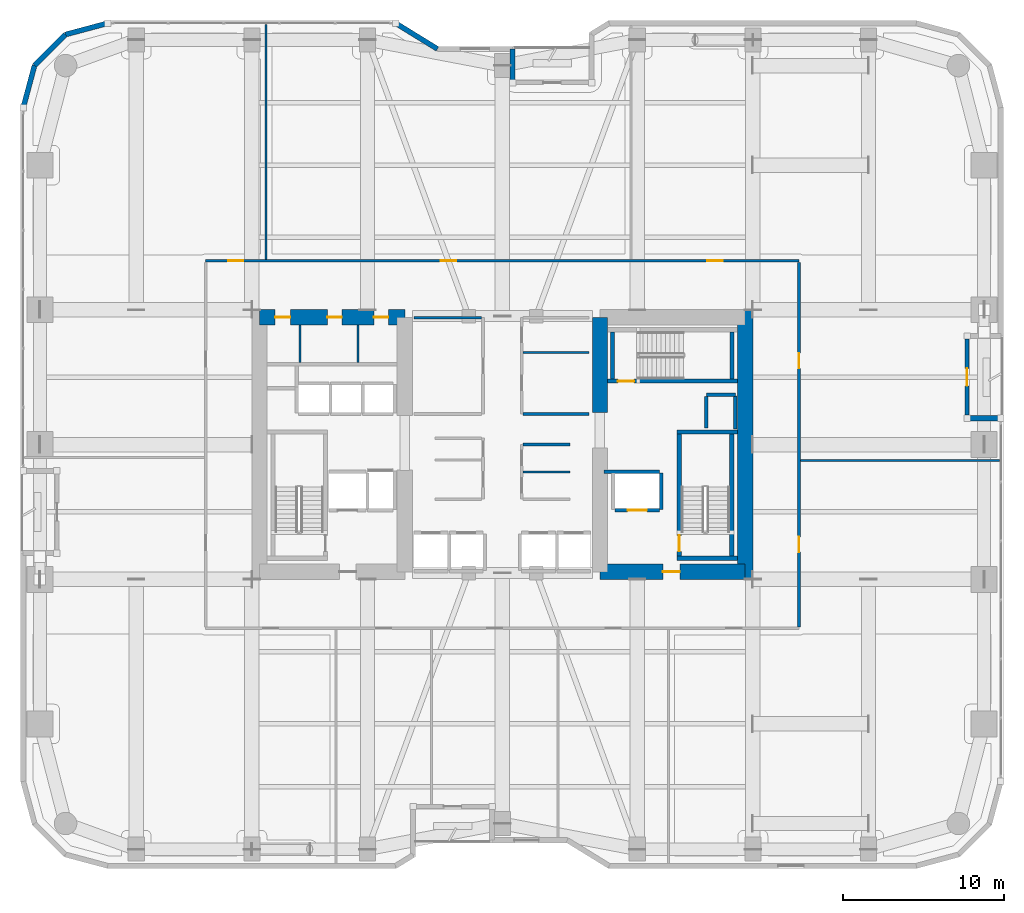
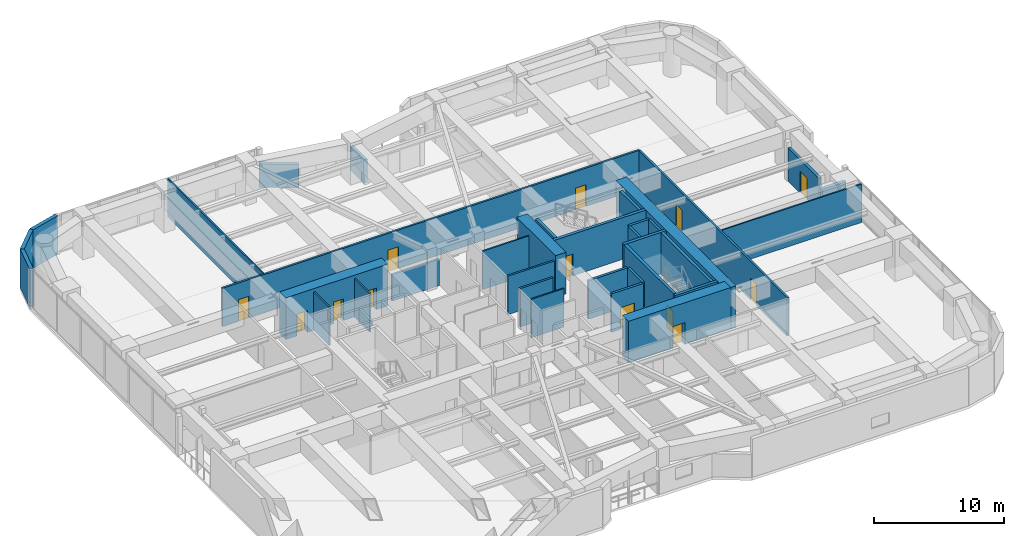
# One storey, part 24 of 28: 35 walls, 13 doors, 13 openings.
"""IFC4 building model written with IfcOpenShell, lengths in metres."""

from ifc_helpers import new_model, si_unit, direction, frame, frame_2d, origin, place, context, subcontext, project, spatial, rectangle, extrude, material, layer, layer_set, type_object, element, fill, save


model = new_model("IFC4")

# Units and contexts
model_context = context("Model", 3, precision=1e-05, world=origin(), true_north=direction((0.0, 1.0)))
body_context = subcontext(model_context, "Body", "Model", "MODEL_VIEW")
ifc_project = project(units=[si_unit("LENGTHUNIT", "METRE"), si_unit("AREAUNIT", "SQUARE_METRE"), si_unit("VOLUMEUNIT", "CUBIC_METRE"), si_unit("PLANEANGLEUNIT", "RADIAN"), si_unit("MASSUNIT", "GRAM", prefix="KILO")], contexts=[model_context])

# Site, building, storey
site_placement = place(None, origin())
site = spatial("IfcSite", under=ifc_project, at=site_placement, CompositionType="ELEMENT")
building_placement = place(site_placement, origin())
building = spatial("IfcBuilding", under=site, at=building_placement, Name="Kiyonajd Concourse Tower", CompositionType="ELEMENT")
storey_placement = place(building_placement, frame((0.0, 0.0, 76.800048828125)))
storey = spatial("IfcBuildingStorey", under=building, at=storey_placement, Name="L20", CompositionType="ELEMENT", Elevation=76.800048828125)

# Wall, openings, doors
ifc_material_1 = material(Name="Concrete C80/95", Category="concrete")
ifc_layer_1 = layer(ifc_material_1, 0.949951171875)
ifc_layer_set_1 = layer_set([ifc_layer_1], Name="Concrete C80/95")
wall_type_1 = type_object("IfcWallType", Name="WL-CORE-950", PredefinedType="SHEAR", material=ifc_layer_set_1)
wall_1_placement = place(storey_placement, frame((32.875, 43.925048828125, 0.0), z_axis=(0.0, 0.0, 1.0), x_axis=(1.0, 0.0, 0.0)))
wall_1 = element("IfcWall", 1, at=wall_1_placement, inside=storey, type_object=wall_type_1, Name="L20 West Core North Shear Wall", PredefinedType="SHEAR", context=body_context, shape_type="SweptSolid", body=[
    extrude(rectangle(XDim=9.050048828125, YDim=0.949951171875, at=frame_2d((4.52490234375, 0.0))), origin(), (0.0, 0.0, 1.0), 3.89990234375),
])
opening_1_placement = place(wall_1_placement, frame((0.97509765625, 0.0, 0.0)))
opening_1 = element("IfcOpeningElement", 2, at=opening_1_placement, cuts=wall_1, Name="Opening DI1", PredefinedType="OPENING", context=body_context, shape_type="SweptSolid", body=[
    extrude(rectangle(XDim=0.949951171875, YDim=2.0400390625, at=frame_2d((0.47509765625, 1.02001953125))), frame((0.0, 0.48486328125, 0.0), z_axis=(0.0, -1.0, 0.0), x_axis=(1.0, 0.0, 0.0)), (0.0, 0.0, 1.0), 0.969970703125),
])
opening_2_placement = place(wall_1_placement, frame((4.22509765625, 0.0, 0.0)))
opening_2 = element("IfcOpeningElement", 3, at=opening_2_placement, cuts=wall_1, Name="Opening DI2", PredefinedType="OPENING", context=body_context, shape_type="SweptSolid", body=[
    extrude(rectangle(XDim=0.89990234375, YDim=2.02001953125, at=frame_2d((0.449951171875, 1.010009765625))), frame((0.0, 0.48486328125, 0.0), z_axis=(0.0, -1.0, 0.0), x_axis=(1.0, 0.0, 0.0)), (0.0, 0.0, 1.0), 0.969970703125),
])
opening_3_placement = place(wall_1_placement, frame((7.125, 0.0, 0.0)))
opening_3 = element("IfcOpeningElement", 4, at=opening_3_placement, cuts=wall_1, Name="Opening DI2", PredefinedType="OPENING", context=body_context, shape_type="SweptSolid", body=[
    extrude(rectangle(XDim=0.89990234375, YDim=2.02001953125, at=frame_2d((0.449951171875, 1.010009765625))), frame((0.0, 0.48486328125, 0.0), z_axis=(0.0, -1.0, 0.0), x_axis=(1.0, 0.0, 0.0)), (0.0, 0.0, 1.0), 0.969970703125),
])
ifc_material_2 = material(Name="Natural Oak Acoustic Timber Veneer", Category="wood")
door_type_1 = type_object("IfcDoorType", Name="DR-INT-900", OperationType="NOTDEFINED", PredefinedType="DOOR", material=ifc_material_2)
door_1_placement = place(opening_2_placement, origin())
door_1 = element("IfcDoor", 5, at=door_1_placement, inside=storey, type_object=door_type_1, Name="L20 Male Restroom Door", OperationType="SINGLE_SWING_RIGHT", OverallHeight=2.02001953125, OverallWidth=0.89990234375, PredefinedType="DOOR", context=body_context, shape_type="SweptSolid", body=[
    extrude(rectangle(XDim=0.89990234375, YDim=2.02001953125, at=frame_2d((0.449951171875, 1.010009765625))), frame((0.0, 0.02490234375, 0.0), z_axis=(0.0, -1.0, 0.0), x_axis=(1.0, 0.0, 0.0)), (0.0, 0.0, 1.0), 0.050048828125),
])
fill(opening_2, door_1)
door_2_placement = place(opening_3_placement, origin())
door_2 = element("IfcDoor", 6, at=door_2_placement, inside=storey, type_object=door_type_1, Name="L20 Female Restroom Door", OperationType="SINGLE_SWING_LEFT", OverallHeight=2.02001953125, OverallWidth=0.89990234375, PredefinedType="DOOR", context=body_context, shape_type="SweptSolid", body=[
    extrude(rectangle(XDim=0.89990234375, YDim=2.02001953125, at=frame_2d((0.449951171875, 1.010009765625))), frame((0.0, 0.02490234375, 0.0), z_axis=(0.0, -1.0, 0.0), x_axis=(1.0, 0.0, 0.0)), (0.0, 0.0, 1.0), 0.050048828125),
])
fill(opening_3, door_2)
door_type_2 = type_object("IfcDoorType", Name="DR-INT-950", OperationType="NOTDEFINED", PredefinedType="DOOR", material=ifc_material_2)
door_3_placement = place(opening_1_placement, origin())
door_3 = element("IfcDoor", 7, at=door_3_placement, inside=storey, type_object=door_type_2, Name="L20 Single User Accessible WC Door", OperationType="SINGLE_SWING_LEFT", OverallHeight=2.0400390625, OverallWidth=0.949951171875, PredefinedType="DOOR", context=body_context, shape_type="SweptSolid", body=[
    extrude(rectangle(XDim=0.949951171875, YDim=2.0400390625, at=frame_2d((0.47509765625, 1.02001953125))), frame((0.0, 0.02490234375, 0.0), z_axis=(0.0, -1.0, 0.0), x_axis=(1.0, 0.0, 0.0)), (0.0, 0.0, 1.0), 0.050048828125),
])
fill(opening_1, door_3)

# Walls
wall_2_placement = place(storey_placement, frame((54.074951171875, 38.0, 0.0), z_axis=(0.0, 0.0, 1.0), x_axis=(0.0, 1.0, 0.0)))
element("IfcWall", 8, at=wall_2_placement, inside=storey, type_object=wall_type_1, Name="L20 East Core Inner North Shear Wall", PredefinedType="SHEAR", context=body_context, shape_type="SweptSolid", body=[
    extrude(rectangle(XDim=5.925048828125, YDim=0.949951171875, at=frame_2d((2.96240234375, 0.0))), origin(), (0.0, 0.0, 1.0), 3.89990234375),
])
wall_3_placement = place(storey_placement, frame((63.125, 27.60009765625, 0.0), z_axis=(0.0, 0.0, 1.0), x_axis=(0.0, 1.0, 0.0)))
element("IfcWall", 9, at=wall_3_placement, inside=storey, type_object=wall_type_1, Name="L20 East Core Outer Shear Wall", PredefinedType="SHEAR", context=body_context, shape_type="SweptSolid", body=[
    extrude(rectangle(XDim=16.7998046875, YDim=0.949951171875, at=frame_2d((8.39990234375, 0.0))), origin(), (0.0, 0.0, 1.0), 3.89990234375),
])

# Wall, opening, door
wall_4_placement = place(storey_placement, frame((54.074951171875, 28.074951171875, 0.0), z_axis=(0.0, 0.0, 1.0), x_axis=(1.0, 0.0, 0.0)))
wall_4 = element("IfcWall", 10, at=wall_4_placement, inside=storey, type_object=wall_type_1, Name="L20 East Core South Shear Wall", PredefinedType="SHEAR", context=body_context, shape_type="SweptSolid", body=[
    extrude(rectangle(XDim=9.050048828125, YDim=0.949951171875, at=frame_2d((4.52490234375, 0.0))), origin(), (0.0, 0.0, 1.0), 3.89990234375),
])
opening_4_placement = place(wall_4_placement, frame((3.925048828125, 0.0, 0.0)))
opening_4 = element("IfcOpeningElement", 11, at=opening_4_placement, cuts=wall_4, Name="Opening DF5", PredefinedType="OPENING", context=body_context, shape_type="SweptSolid", body=[
    extrude(rectangle(XDim=1.050048828125, YDim=2.0400390625, at=frame_2d((0.52490234375, 1.02001953125))), frame((0.0, 0.48486328125, 0.0), z_axis=(0.0, -1.0, 0.0), x_axis=(1.0, 0.0, 0.0)), (0.0, 0.0, 1.0), 0.969970703125),
])
ifc_material_3 = material(Name="Brushed Stainless Steel Cab Assembly", Category="steel")
door_type_3 = type_object("IfcDoorType", Name="DR-FD45-1050", OperationType="NOTDEFINED", PredefinedType="DOOR", material=ifc_material_3)
door_4_placement = place(opening_4_placement, origin())
door_4 = element("IfcDoor", 12, at=door_4_placement, inside=storey, type_object=door_type_3, Name="L20 Firefighting Lift Lobby E Smoke Door", OperationType="SINGLE_SWING_RIGHT", OverallHeight=2.0400390625, OverallWidth=1.050048828125, PredefinedType="DOOR", context=body_context, shape_type="SweptSolid", body=[
    extrude(rectangle(XDim=1.050048828125, YDim=2.0400390625, at=frame_2d((0.52490234375, 1.02001953125))), frame((0.0, 0.02490234375, 0.0), z_axis=(0.0, -1.0, 0.0), x_axis=(1.0, 0.0, 0.0)), (0.0, 0.0, 1.0), 0.050048828125),
])
fill(opening_4, door_4)

# Walls
ifc_material_4 = material(Name="Precast concrete C50/60", Category="concrete")
ifc_layer_2 = layer(ifc_material_4, 0.320068359375)
ifc_layer_set_2 = layer_set([ifc_layer_2], Name="Precast concrete C50/60")
wall_type_2 = type_object("IfcWallType", Name="WL-EXT-320", PredefinedType="SOLIDWALL", material=ifc_layer_set_2)
wall_5_placement = place(storey_placement, frame((18.159912109375, 56.97900390625, 0.0), z_axis=(0.0, 0.0, 1.0), x_axis=(0.25869736047, 0.965958423373, 0.0)))
element("IfcWall", 13, at=wall_5_placement, inside=storey, type_object=wall_type_2, Name="L20 Exterior Concrete Frame Wall 06", PredefinedType="SOLIDWALL", context=body_context, shape_type="SweptSolid", body=[
    extrude(rectangle(XDim=2.731201171875, YDim=0.320068359375, at=frame_2d((1.36572265625, 0.0))), origin(), (0.0, 0.0, 1.0), 3.599853515625),
])
wall_6_placement = place(storey_placement, frame((18.866455078125, 59.6171875, 0.0), z_axis=(0.0, 0.0, 1.0), x_axis=(0.707106781187, 0.707106781187, 0.0)))
element("IfcWall", 14, at=wall_6_placement, inside=storey, type_object=wall_type_2, Name="L20 Exterior Concrete Frame Wall 07", PredefinedType="SOLIDWALL", context=body_context, shape_type="SweptSolid", body=[
    extrude(rectangle(XDim=2.7099609375, YDim=0.320068359375, at=frame_2d((1.35498046875, 0.0))), origin(), (0.0, 0.0, 1.0), 3.599853515625),
])
wall_7_placement = place(storey_placement, frame((20.78271484375, 61.533447265625, 0.0), z_axis=(0.0, 0.0, 1.0), x_axis=(0.965964405026, 0.25867502435, 0.0)))
element("IfcWall", 15, at=wall_7_placement, inside=storey, type_object=wall_type_2, Name="L20 Exterior Concrete Frame Wall 08", PredefinedType="SOLIDWALL", context=body_context, shape_type="SweptSolid", body=[
    extrude(rectangle(XDim=2.7314453125, YDim=0.320068359375, at=frame_2d((1.36572265625, 0.0))), origin(), (0.0, 0.0, 1.0), 3.599853515625),
])
wall_8_placement = place(storey_placement, frame((41.354736328125, 62.239990234375, 0.0), z_axis=(0.0, 0.0, 1.0), x_axis=(0.851630857047, -0.524142044989, 0.0)))
element("IfcWall", 16, at=wall_8_placement, inside=storey, type_object=wall_type_2, Name="L20 Exterior Concrete Frame Wall 10", PredefinedType="SOLIDWALL", context=body_context, shape_type="SweptSolid", body=[
    extrude(rectangle(XDim=3.052734375, YDim=0.320068359375, at=frame_2d((1.5263671875, 0.0))), origin(), (0.0, 0.0, 1.0), 2.18505859375),
])
wall_9_placement = place(storey_placement, frame((48.639892578125, 60.639892578125, 0.0), z_axis=(0.0, 0.0, 1.0), x_axis=(0.0, -1.0, 0.0)))
element("IfcWall", 17, at=wall_9_placement, inside=storey, type_object=wall_type_2, Name="L20 Exterior Concrete Frame Wall 12", PredefinedType="SOLIDWALL", context=body_context, shape_type="SweptSolid", body=[
    extrude(rectangle(XDim=2.099853515625, YDim=0.320068359375, at=frame_2d((1.0498046875, 0.0))), origin(), (0.0, 0.0, 1.0), 2.18505859375),
])
wall_10_placement = place(storey_placement, frame((76.93994140625, 37.639892578125, 0.0), z_axis=(0.0, 0.0, 1.0), x_axis=(1.0, 0.0, 0.0)))
element("IfcWall", 18, at=wall_10_placement, inside=storey, type_object=wall_type_2, Name="L20 Exterior Concrete Frame Wall 23", PredefinedType="SOLIDWALL", context=body_context, shape_type="SweptSolid", body=[
    extrude(rectangle(XDim=2.10009765625, YDim=0.320068359375, at=frame_2d((1.050048828125, 0.0))), origin(), (0.0, 0.0, 1.0), 2.244873046875),
])

# Wall, opening, door
ifc_layer_3 = layer(ifc_material_4, 0.239990234375)
ifc_layer_set_3 = layer_set([ifc_layer_3], Name="Precast concrete C50/60")
wall_type_3 = type_object("IfcWallType", Name="WL-LOG-240", PredefinedType="SOLIDWALL", material=ifc_layer_set_3)
wall_11_placement = place(storey_placement, frame((76.93994140625, 42.56494140625, 0.0), z_axis=(0.0, 0.0, 1.0), x_axis=(0.0, -1.0, 0.0)))
wall_11 = element("IfcWall", 19, at=wall_11_placement, inside=storey, type_object=wall_type_3, Name="L20 Recessed Loggia Thermal Wall LOG-E", PredefinedType="SOLIDWALL", context=body_context, shape_type="SweptSolid", body=[
    extrude(rectangle(XDim=4.72998046875, YDim=0.239990234375, at=frame_2d((2.364990234375, 0.0))), origin(), (0.0, 0.0, 1.0), 3.1220703125),
])
opening_5_placement = place(wall_11_placement, frame((1.81494140625, 0.0, 0.0)))
opening_5 = element("IfcOpeningElement", 20, at=opening_5_placement, cuts=wall_11, Name="Opening DL2", PredefinedType="OPENING", context=body_context, shape_type="SweptSolid", body=[
    extrude(rectangle(XDim=1.10009765625, YDim=2.0400390625, at=frame_2d((0.550048828125, 1.02001953125))), frame((0.0, 0.1298828125, 0.0), z_axis=(0.0, -1.0, 0.0), x_axis=(1.0, 0.0, 0.0)), (0.0, 0.0, 1.0), 0.260009765625),
])
ifc_material_5 = material(Name="Thermally Broken Anodised Aluminium", Category="aluminium")
door_type_4 = type_object("IfcDoorType", Name="DR-LOG-1100", OperationType="NOTDEFINED", PredefinedType="DOOR", material=ifc_material_5)
door_5_placement = place(opening_5_placement, origin())
door_5 = element("IfcDoor", 21, at=door_5_placement, inside=storey, type_object=door_type_4, Name="L20 Engawa Loggia Access Door LOG-E", OperationType="SINGLE_SWING_LEFT", OverallHeight=2.0400390625, OverallWidth=1.10009765625, PredefinedType="DOOR", context=body_context, shape_type="SweptSolid", body=[
    extrude(rectangle(XDim=1.10009765625, YDim=2.0400390625, at=frame_2d((0.550048828125, 1.02001953125))), frame((0.0, 0.02490234375, 0.0), z_axis=(0.0, -1.0, 0.0), x_axis=(1.0, 0.0, 0.0)), (0.0, 0.0, 1.0), 0.050048828125),
])
fill(opening_5, door_5)

# Walls
ifc_material_6 = material(Name="Gypsum Board on Cold-Formed Steel Stud", Category="steel")
ifc_layer_4 = layer(ifc_material_6, 0.125)
ifc_layer_set_4 = layer_set([ifc_layer_4], Name="Gypsum Board on Cold-Formed Steel Stud")
wall_type_4 = type_object("IfcWallType", Name="WL-PART-125", PredefinedType="PARTITIONING", material=ifc_layer_set_4)
for number, where, z_axis, x_axis, name in (
    (22, (35.39990234375, 41.094970703125, 0.0), (0.0, 0.0, 1.0), (0.0, 1.0, 0.0), "L20 Interior Partition Wall"),
    (23, (39.0, 41.094970703125, 0.0), (0.0, 0.0, 1.0), (0.0, 1.0, 0.0), "L20 Interior Partition Wall"),
):
    element("IfcWall", number, at=place(storey_placement, frame(where, z_axis=z_axis, x_axis=x_axis)), inside=storey, type_object=wall_type_4, Name=name, PredefinedType="PARTITIONING", context=body_context, shape_type="SweptSolid", body=[
        extrude(rectangle(XDim=2.35498046875, YDim=0.125, at=frame_2d((1.177490234375, 0.0))), origin(), (0.0, 0.0, 1.0), 3.599853515625),
    ])
wall_12_placement = place(storey_placement, frame((49.287109375, 34.300048828125, 0.0), z_axis=(0.0, 0.0, 1.0), x_axis=(1.0, 0.0, 0.0)))
element("IfcWall", 24, at=wall_12_placement, inside=storey, type_object=wall_type_4, Name="L20 Interior Partition Wall", PredefinedType="PARTITIONING", context=body_context, shape_type="SweptSolid", body=[
    extrude(rectangle(XDim=2.912841796875, YDim=0.125, at=frame_2d((1.45654296875, 0.0))), origin(), (0.0, 0.0, 1.0), 3.599853515625),
])
wall_13_placement = place(storey_placement, frame((49.287109375, 41.739990234375, 0.0), z_axis=(0.0, 0.0, 1.0), x_axis=(1.0, 0.0, 0.0)))
element("IfcWall", 25, at=wall_13_placement, inside=storey, type_object=wall_type_4, Name="L20 Interior Partition Wall", PredefinedType="PARTITIONING", context=body_context, shape_type="SweptSolid", body=[
    extrude(rectangle(XDim=4.11279296875, YDim=0.125, at=frame_2d((2.056396484375, 0.0))), origin(), (0.0, 0.0, 1.0), 3.599853515625),
])
wall_14_placement = place(storey_placement, frame((33.280029296875, 47.527099609375, 0.0), z_axis=(0.0, 0.0, 1.0), x_axis=(0.0, 1.0, 0.0)))
element("IfcWall", 26, at=wall_14_placement, inside=storey, type_object=wall_type_4, Name="L20 Interior Partition Wall", PredefinedType="PARTITIONING", context=body_context, shape_type="SweptSolid", body=[
    extrude(rectangle(XDim=14.6279296875, YDim=0.125, at=frame_2d((7.31396484375, 0.0))), origin(), (0.0, 0.0, 1.0), 3.599853515625),
])
wall_15_placement = place(storey_placement, frame((66.56201171875, 35.0, 0.0), z_axis=(0.0, 0.0, 1.0), x_axis=(1.0, 0.0, 0.0)))
element("IfcWall", 27, at=wall_15_placement, inside=storey, type_object=wall_type_4, Name="L20 Interior Partition Wall", PredefinedType="PARTITIONING", context=body_context, shape_type="SweptSolid", body=[
    extrude(rectangle(XDim=12.39306640625, YDim=0.125, at=frame_2d((6.196533203125, 0.0))), origin(), (0.0, 0.0, 1.0), 3.599853515625),
])
ifc_layer_5 = layer(ifc_material_6, 0.2099609375)
ifc_layer_set_5 = layer_set([ifc_layer_5], Name="Gypsum Board on Cold-Formed Steel Stud")
wall_type_5 = type_object("IfcWallType", Name="WL-SHAFT-210", PredefinedType="PARTITIONING", material=ifc_layer_set_5)
wall_16_placement = place(storey_placement, frame((60.719970703125, 39.10009765625, 0.0), z_axis=(0.0, 0.0, 1.0), x_axis=(1.0, 0.0, 0.0)))
element("IfcWall", 28, at=wall_16_placement, inside=storey, type_object=wall_type_5, Name="L20 Shaft Enclosure Wall", PredefinedType="PARTITIONING", context=body_context, shape_type="SweptSolid", body=[
    extrude(rectangle(XDim=1.800048828125, YDim=0.2099609375, at=frame_2d((0.89990234375, 0.0))), origin(), (0.0, 0.0, 1.0), 3.599853515625),
])
wall_17_placement = place(storey_placement, frame((60.699951171875, 37.02001953125, 0.0), z_axis=(0.0, 0.0, 1.0), x_axis=(0.0, 1.0, 0.0)))
element("IfcWall", 29, at=wall_17_placement, inside=storey, type_object=wall_type_5, Name="L20 Shaft Enclosure Wall", PredefinedType="PARTITIONING", context=body_context, shape_type="SweptSolid", body=[
    extrude(rectangle(XDim=1.9599609375, YDim=0.2099609375, at=frame_2d((0.97998046875, 0.0))), origin(), (0.0, 0.0, 1.0), 3.599853515625),
])
wall_18_placement = place(storey_placement, frame((62.5, 36.97998046875, 0.0), z_axis=(0.0, 0.0, 1.0), x_axis=(0.0, 1.0, 0.0)))
element("IfcWall", 30, at=wall_18_placement, inside=storey, type_object=wall_type_5, Name="L20 Shaft Enclosure Wall", PredefinedType="PARTITIONING", context=body_context, shape_type="SweptSolid", body=[
    extrude(rectangle(XDim=2.0400390625, YDim=0.2099609375, at=frame_2d((1.02001953125, 0.0))), origin(), (0.0, 0.0, 1.0), 3.599853515625),
])

# Wall, opening, door
wall_19_placement = place(storey_placement, frame((55.0, 31.89990234375, 0.0), z_axis=(0.0, 0.0, 1.0), x_axis=(1.0, 0.0, 0.0)))
wall_19 = element("IfcWall", 31, at=wall_19_placement, inside=storey, type_object=wall_type_5, Name="L20 Shaft Enclosure Wall", PredefinedType="PARTITIONING", context=body_context, shape_type="SweptSolid", body=[
    extrude(rectangle(XDim=2.800048828125, YDim=0.2099609375, at=frame_2d((1.39990234375, 0.0))), origin(), (0.0, 0.0, 1.0), 3.599853515625),
])
opening_6_placement = place(wall_19_placement, frame((0.800048828125, 0.0, 0.0)))
opening_6 = element("IfcOpeningElement", 32, at=opening_6_placement, cuts=wall_19, Name="Opening LD2", PredefinedType="OPENING", context=body_context, shape_type="SweptSolid", body=[
    extrude(rectangle(XDim=1.199951171875, YDim=2.0400390625, at=frame_2d((0.60009765625, 1.02001953125))), frame((0.0, 0.114990234375, 0.0), z_axis=(0.0, -1.0, 0.0), x_axis=(1.0, 0.0, 0.0)), (0.0, 0.0, 1.0), 0.22998046875),
])
door_type_5 = type_object("IfcDoorType", Name="DR-LD-1200", OperationType="DOUBLE_DOOR_SLIDING", PredefinedType="DOOR", material=ifc_material_3)
door_6_placement = place(opening_6_placement, origin())
door_6 = element("IfcDoor", 33, at=door_6_placement, inside=storey, type_object=door_type_5, Name="L20 Lift FFL2 Sliding Landing Door", OperationType="DOUBLE_DOOR_SLIDING", OverallHeight=2.0400390625, OverallWidth=1.199951171875, PredefinedType="DOOR", context=body_context, shape_type="SweptSolid", body=[
    extrude(rectangle(XDim=1.199951171875, YDim=2.0400390625, at=frame_2d((0.60009765625, 1.02001953125))), frame((0.0, 0.02490234375, 0.0), z_axis=(0.0, -1.0, 0.0), x_axis=(1.0, 0.0, 0.0)), (0.0, 0.0, 1.0), 0.050048828125),
])
fill(opening_6, door_6)

# Walls
wall_20_placement = place(storey_placement, frame((54.320068359375, 34.300048828125, 0.0), z_axis=(0.0, 0.0, 1.0), x_axis=(1.0, 0.0, 0.0)))
element("IfcWall", 34, at=wall_20_placement, inside=storey, type_object=wall_type_5, Name="L20 Shaft Enclosure Wall", PredefinedType="PARTITIONING", context=body_context, shape_type="SweptSolid", body=[
    extrude(rectangle(XDim=3.47998046875, YDim=0.2099609375, at=frame_2d((1.739990234375, 0.0))), origin(), (0.0, 0.0, 1.0), 3.599853515625),
])
wall_21_placement = place(storey_placement, frame((57.89990234375, 31.9599609375, 0.0), z_axis=(0.0, 0.0, 1.0), x_axis=(0.0, 1.0, 0.0)))
element("IfcWall", 35, at=wall_21_placement, inside=storey, type_object=wall_type_5, Name="L20 Shaft Enclosure Wall", PredefinedType="PARTITIONING", context=body_context, shape_type="SweptSolid", body=[
    extrude(rectangle(XDim=2.280029296875, YDim=0.2099609375, at=frame_2d((1.14013671875, 0.0))), origin(), (0.0, 0.0, 1.0), 3.599853515625),
])
ifc_layer_6 = layer(ifc_material_6, 0.169921875)
ifc_layer_set_6 = layer_set([ifc_layer_6], Name="Gypsum Board on Cold-Formed Steel Stud")
wall_type_6 = type_object("IfcWallType", Name="WL-SMK-170", PredefinedType="PARTITIONING", material=ifc_layer_set_6)
wall_22_placement = place(storey_placement, frame((49.287109375, 36.0, 0.0), z_axis=(0.0, 0.0, 1.0), x_axis=(1.0, 0.0, 0.0)))
element("IfcWall", 36, at=wall_22_placement, inside=storey, type_object=wall_type_6, Name="L20 Interior Partition Wall", PredefinedType="PARTITIONING", context=body_context, shape_type="SweptSolid", body=[
    extrude(rectangle(XDim=2.912841796875, YDim=0.169921875, at=frame_2d((1.45654296875, 0.0))), origin(), (0.0, 0.0, 1.0), 3.599853515625),
])
wall_23_placement = place(storey_placement, frame((42.5, 43.89990234375, 0.0), z_axis=(0.0, 0.0, 1.0), x_axis=(1.0, 0.0, 0.0)))
element("IfcWall", 37, at=wall_23_placement, inside=storey, type_object=wall_type_6, Name="L20 Interior Partition Wall", PredefinedType="PARTITIONING", context=body_context, shape_type="SweptSolid", body=[
    extrude(rectangle(XDim=4.212890625, YDim=0.169921875, at=frame_2d((2.1064453125, 0.0))), origin(), (0.0, 0.0, 1.0), 2.48486328125),
])
wall_24_placement = place(storey_placement, frame((49.287109375, 37.89990234375, 0.0), z_axis=(0.0, 0.0, 1.0), x_axis=(1.0, 0.0, 0.0)))
element("IfcWall", 38, at=wall_24_placement, inside=storey, type_object=wall_type_6, Name="L20 Interior Partition Wall", PredefinedType="PARTITIONING", context=body_context, shape_type="SweptSolid", body=[
    extrude(rectangle(XDim=4.11279296875, YDim=0.169921875, at=frame_2d((2.056396484375, 0.0))), origin(), (0.0, 0.0, 1.0), 3.599853515625),
])

# Wall, openings, doors
wall_25_placement = place(storey_placement, frame((29.52490234375, 47.43994140625, 0.0), z_axis=(0.0, 0.0, 1.0), x_axis=(1.0, 0.0, 0.0)))
wall_25 = element("IfcWall", 39, at=wall_25_placement, inside=storey, type_object=wall_type_6, Name="L20 Interior Partition Wall", PredefinedType="PARTITIONING", context=body_context, shape_type="SweptSolid", body=[
    extrude(rectangle(XDim=36.9501953125, YDim=0.169921875, at=frame_2d((18.47509765625, 0.0))), origin(), (0.0, 0.0, 1.0), 3.599853515625),
])
opening_7_placement = place(wall_25_placement, frame((1.403076171875, 0.0, 0.0)))
opening_7 = element("IfcOpeningElement", 40, at=opening_7_placement, cuts=wall_25, Name="Opening DI1", PredefinedType="OPENING", context=body_context, shape_type="SweptSolid", body=[
    extrude(rectangle(XDim=0.949951171875, YDim=2.0400390625, at=frame_2d((0.47509765625, 1.02001953125))), frame((0.0, 0.094970703125, 0.0), z_axis=(0.0, -1.0, 0.0), x_axis=(1.0, 0.0, 0.0)), (0.0, 0.0, 1.0), 0.18994140625),
])
opening_8_placement = place(wall_25_placement, frame((14.639892578125, 0.0, 0.0)))
opening_8 = element("IfcOpeningElement", 41, at=opening_8_placement, cuts=wall_25, Name="Opening DI1", PredefinedType="OPENING", context=body_context, shape_type="SweptSolid", body=[
    extrude(rectangle(XDim=0.949951171875, YDim=2.0400390625, at=frame_2d((0.47509765625, 1.02001953125))), frame((0.0, 0.094970703125, 0.0), z_axis=(0.0, -1.0, 0.0), x_axis=(1.0, 0.0, 0.0)), (0.0, 0.0, 1.0), 0.18994140625),
])
opening_9_placement = place(wall_25_placement, frame((31.237060546875, 0.0, 0.0)))
opening_9 = element("IfcOpeningElement", 42, at=opening_9_placement, cuts=wall_25, Name="Opening DI1", PredefinedType="OPENING", context=body_context, shape_type="SweptSolid", body=[
    extrude(rectangle(XDim=0.949951171875, YDim=2.0400390625, at=frame_2d((0.47509765625, 1.02001953125))), frame((0.0, 0.094970703125, 0.0), z_axis=(0.0, -1.0, 0.0), x_axis=(1.0, 0.0, 0.0)), (0.0, 0.0, 1.0), 0.18994140625),
])
door_7_placement = place(opening_7_placement, origin())
door_7 = element("IfcDoor", 43, at=door_7_placement, inside=storey, type_object=door_type_2, Name="L20 Interior Door", OperationType="SINGLE_SWING_LEFT", OverallHeight=2.0400390625, OverallWidth=0.949951171875, PredefinedType="DOOR", context=body_context, shape_type="SweptSolid", body=[
    extrude(rectangle(XDim=0.949951171875, YDim=2.0400390625, at=frame_2d((0.47509765625, 1.02001953125))), frame((0.0, 0.02490234375, 0.0), z_axis=(0.0, -1.0, 0.0), x_axis=(1.0, 0.0, 0.0)), (0.0, 0.0, 1.0), 0.050048828125),
])
fill(opening_7, door_7)
door_8_placement = place(opening_8_placement, origin())
door_8 = element("IfcDoor", 44, at=door_8_placement, inside=storey, type_object=door_type_2, Name="L20 Interior Door", OperationType="SINGLE_SWING_RIGHT", OverallHeight=2.0400390625, OverallWidth=0.949951171875, PredefinedType="DOOR", context=body_context, shape_type="SweptSolid", body=[
    extrude(rectangle(XDim=0.949951171875, YDim=2.0400390625, at=frame_2d((0.47509765625, 1.02001953125))), frame((0.0, 0.02490234375, 0.0), z_axis=(0.0, -1.0, 0.0), x_axis=(1.0, 0.0, 0.0)), (0.0, 0.0, 1.0), 0.050048828125),
])
fill(opening_8, door_8)
door_9_placement = place(opening_9_placement, origin())
door_9 = element("IfcDoor", 45, at=door_9_placement, inside=storey, type_object=door_type_2, Name="L20 Interior Door", OperationType="SINGLE_SWING_LEFT", OverallHeight=2.0400390625, OverallWidth=0.949951171875, PredefinedType="DOOR", context=body_context, shape_type="SweptSolid", body=[
    extrude(rectangle(XDim=0.949951171875, YDim=2.0400390625, at=frame_2d((0.47509765625, 1.02001953125))), frame((0.0, 0.02490234375, 0.0), z_axis=(0.0, -1.0, 0.0), x_axis=(1.0, 0.0, 0.0)), (0.0, 0.0, 1.0), 0.050048828125),
])
fill(opening_9, door_9)

wall_26_placement = place(storey_placement, frame((66.47509765625, 24.64697265625, 0.0), z_axis=(0.0, 0.0, 1.0), x_axis=(0.0, 1.0, 0.0)))
wall_26 = element("IfcWall", 46, at=wall_26_placement, inside=storey, type_object=wall_type_6, Name="L20 Interior Partition Wall", PredefinedType="PARTITIONING", context=body_context, shape_type="SweptSolid", body=[
    extrude(rectangle(XDim=22.7060546875, YDim=0.169921875, at=frame_2d((11.35302734375, 0.0))), origin(), (0.0, 0.0, 1.0), 3.599853515625),
])
opening_10_placement = place(wall_26_placement, frame((4.657958984375, 0.0, 0.0)))
opening_10 = element("IfcOpeningElement", 47, at=opening_10_placement, cuts=wall_26, Name="Opening DI1", PredefinedType="OPENING", context=body_context, shape_type="SweptSolid", body=[
    extrude(rectangle(XDim=0.949951171875, YDim=2.0400390625, at=frame_2d((0.47509765625, 1.02001953125))), frame((0.0, 0.094970703125, 0.0), z_axis=(0.0, -1.0, 0.0), x_axis=(1.0, 0.0, 0.0)), (0.0, 0.0, 1.0), 0.18994140625),
])
opening_11_placement = place(wall_26_placement, frame((16.097900390625, 0.0, 0.0)))
opening_11 = element("IfcOpeningElement", 48, at=opening_11_placement, cuts=wall_26, Name="Opening DI1", PredefinedType="OPENING", context=body_context, shape_type="SweptSolid", body=[
    extrude(rectangle(XDim=0.949951171875, YDim=2.0400390625, at=frame_2d((0.47509765625, 1.02001953125))), frame((0.0, 0.094970703125, 0.0), z_axis=(0.0, -1.0, 0.0), x_axis=(1.0, 0.0, 0.0)), (0.0, 0.0, 1.0), 0.18994140625),
])
door_10_placement = place(opening_10_placement, origin())
door_10 = element("IfcDoor", 49, at=door_10_placement, inside=storey, type_object=door_type_2, Name="L20 Interior Door", OperationType="SINGLE_SWING_RIGHT", OverallHeight=2.0400390625, OverallWidth=0.949951171875, PredefinedType="DOOR", context=body_context, shape_type="SweptSolid", body=[
    extrude(rectangle(XDim=0.949951171875, YDim=2.0400390625, at=frame_2d((0.47509765625, 1.02001953125))), frame((0.0, 0.02490234375, 0.0), z_axis=(0.0, -1.0, 0.0), x_axis=(1.0, 0.0, 0.0)), (0.0, 0.0, 1.0), 0.050048828125),
])
fill(opening_10, door_10)
door_11_placement = place(opening_11_placement, origin())
door_11 = element("IfcDoor", 50, at=door_11_placement, inside=storey, type_object=door_type_2, Name="L20 Interior Door", OperationType="SINGLE_SWING_LEFT", OverallHeight=2.0400390625, OverallWidth=0.949951171875, PredefinedType="DOOR", context=body_context, shape_type="SweptSolid", body=[
    extrude(rectangle(XDim=0.949951171875, YDim=2.0400390625, at=frame_2d((0.47509765625, 1.02001953125))), frame((0.0, 0.02490234375, 0.0), z_axis=(0.0, -1.0, 0.0), x_axis=(1.0, 0.0, 0.0)), (0.0, 0.0, 1.0), 0.050048828125),
])
fill(opening_11, door_11)

# Walls
ifc_material_7 = material(Name="Concrete C50/60", Category="concrete")
ifc_layer_7 = layer(ifc_material_7, 0.260009765625)
ifc_layer_set_7 = layer_set([ifc_layer_7], Name="Concrete C50/60")
wall_type_7 = type_object("IfcWallType", Name="WL-STAIR-260", PredefinedType="SHEAR", material=ifc_layer_set_7)
for number, where, z_axis, x_axis, name in (
    (51, (58.889892578125, 28.919921875, 0.0), (0.0, 0.0, 1.0), (1.0, 0.0, 0.0), "L20 Stair ST2 Structural South Wall"),
    (52, (58.889892578125, 36.780029296875, 0.0), (0.0, 0.0, 1.0), (1.0, 0.0, 0.0), "L20 Stair ST2 Structural North Wall"),
):
    element("IfcWall", number, at=place(storey_placement, frame(where, z_axis=z_axis, x_axis=x_axis)), inside=storey, type_object=wall_type_7, Name=name, PredefinedType="SHEAR", context=body_context, shape_type="SweptSolid", body=[
        extrude(rectangle(XDim=3.760009765625, YDim=0.260009765625, at=frame_2d((1.8798828125, 0.0))), origin(), (0.0, 0.0, 1.0), 3.89990234375),
    ])

# Wall, opening, door
wall_27_placement = place(storey_placement, frame((59.02001953125, 29.050048828125, 0.0), z_axis=(0.0, 0.0, 1.0), x_axis=(0.0, 1.0, 0.0)))
wall_27 = element("IfcWall", 53, at=wall_27_placement, inside=storey, type_object=wall_type_7, Name="L20 Stair ST2 Structural West Wall", PredefinedType="SHEAR", context=body_context, shape_type="SweptSolid", body=[
    extrude(rectangle(XDim=7.599853515625, YDim=0.260009765625, at=frame_2d((3.7998046875, 0.0))), origin(), (0.0, 0.0, 1.0), 3.89990234375),
])
opening_12_placement = place(wall_27_placement, frame((0.300048828125, 0.0, 0.0)))
opening_12 = element("IfcOpeningElement", 54, at=opening_12_placement, cuts=wall_27, Name="Opening DF1", PredefinedType="OPENING", context=body_context, shape_type="SweptSolid", body=[
    extrude(rectangle(XDim=1.0, YDim=2.0400390625, at=frame_2d((0.5, 1.02001953125))), frame((0.0, 0.139892578125, 0.0), z_axis=(0.0, -1.0, 0.0), x_axis=(1.0, 0.0, 0.0)), (0.0, 0.0, 1.0), 0.280029296875),
])
door_type_6 = type_object("IfcDoorType", Name="DR-FD90-1000", OperationType="NOTDEFINED", PredefinedType="DOOR", material=ifc_material_3)
door_12_placement = place(opening_12_placement, origin())
door_12 = element("IfcDoor", 55, at=door_12_placement, inside=storey, type_object=door_type_6, Name="L20 Stair ST2 FSAE Door", OperationType="SINGLE_SWING_RIGHT", OverallHeight=2.0400390625, OverallWidth=1.0, PredefinedType="DOOR", context=body_context, shape_type="SweptSolid", body=[
    extrude(rectangle(XDim=1.0, YDim=2.0400390625, at=frame_2d((0.5, 1.02001953125))), frame((0.0, 0.02490234375, 0.0), z_axis=(0.0, -1.0, 0.0), x_axis=(1.0, 0.0, 0.0)), (0.0, 0.0, 1.0), 0.050048828125),
])
fill(opening_12, door_12)

# Wall
wall_28_placement = place(storey_placement, frame((62.280029296875, 29.050048828125, 0.0), z_axis=(0.0, 0.0, 1.0), x_axis=(0.0, 1.0, 0.0)))
element("IfcWall", 56, at=wall_28_placement, inside=storey, type_object=wall_type_7, Name="L20 Stair ST2 Structural East Wall", PredefinedType="SHEAR", context=body_context, shape_type="SweptSolid", body=[
    extrude(rectangle(XDim=7.599853515625, YDim=0.260009765625, at=frame_2d((3.7998046875, 0.0))), origin(), (0.0, 0.0, 1.0), 3.89990234375),
])

# Wall, opening, door
wall_29_placement = place(storey_placement, frame((54.550048828125, 39.949951171875, 0.0), z_axis=(0.0, 0.0, 1.0), x_axis=(1.0, 0.0, 0.0)))
wall_29 = element("IfcWall", 57, at=wall_29_placement, inside=storey, type_object=wall_type_7, Name="L20 Stair ST3 Structural South Wall", PredefinedType="SHEAR", context=body_context, shape_type="SweptSolid", body=[
    extrude(rectangle(XDim=8.099853515625, YDim=0.260009765625, at=frame_2d((4.0498046875, 0.0))), origin(), (0.0, 0.0, 1.0), 3.89990234375),
])
opening_13_placement = place(wall_29_placement, frame((0.64990234375, 0.0, 0.0)))
opening_13 = element("IfcOpeningElement", 58, at=opening_13_placement, cuts=wall_29, Name="Opening DF1", PredefinedType="OPENING", context=body_context, shape_type="SweptSolid", body=[
    extrude(rectangle(XDim=1.0, YDim=2.0400390625, at=frame_2d((0.5, 1.02001953125))), frame((0.0, 0.139892578125, 0.0), z_axis=(0.0, -1.0, 0.0), x_axis=(1.0, 0.0, 0.0)), (0.0, 0.0, 1.0), 0.280029296875),
])
door_13_placement = place(opening_13_placement, origin())
door_13 = element("IfcDoor", 59, at=door_13_placement, inside=storey, type_object=door_type_6, Name="L20 Stair ST3 Enclosure Door", OperationType="SINGLE_SWING_LEFT", OverallHeight=2.0400390625, OverallWidth=1.0, PredefinedType="DOOR", context=body_context, shape_type="SweptSolid", body=[
    extrude(rectangle(XDim=1.0, YDim=2.0400390625, at=frame_2d((0.5, 1.02001953125))), frame((0.0, 0.02490234375, 0.0), z_axis=(0.0, -1.0, 0.0), x_axis=(1.0, 0.0, 0.0)), (0.0, 0.0, 1.0), 0.050048828125),
])
fill(opening_13, door_13)

# Walls
for number, where, z_axis, x_axis, name in (
    (60, (54.85009765625, 40.080078125, 0.0), (0.0, 0.0, 1.0), (0.0, 1.0, 0.0), "L20 Stair ST3 Structural West Wall"),
    (61, (62.31005859375, 40.080078125, 0.0), (0.0, 0.0, 1.0), (0.0, 1.0, 0.0), "L20 Stair ST3 Structural East Wall"),
):
    element("IfcWall", number, at=place(storey_placement, frame(where, z_axis=z_axis, x_axis=x_axis)), inside=storey, type_object=wall_type_7, Name=name, PredefinedType="SHEAR", context=body_context, shape_type="SweptSolid", body=[
        extrude(rectangle(XDim=2.93994140625, YDim=0.260009765625, at=frame_2d((1.469970703125, 0.0))), origin(), (0.0, 0.0, 1.0), 3.89990234375),
    ])

save(model, "model.ifc")
